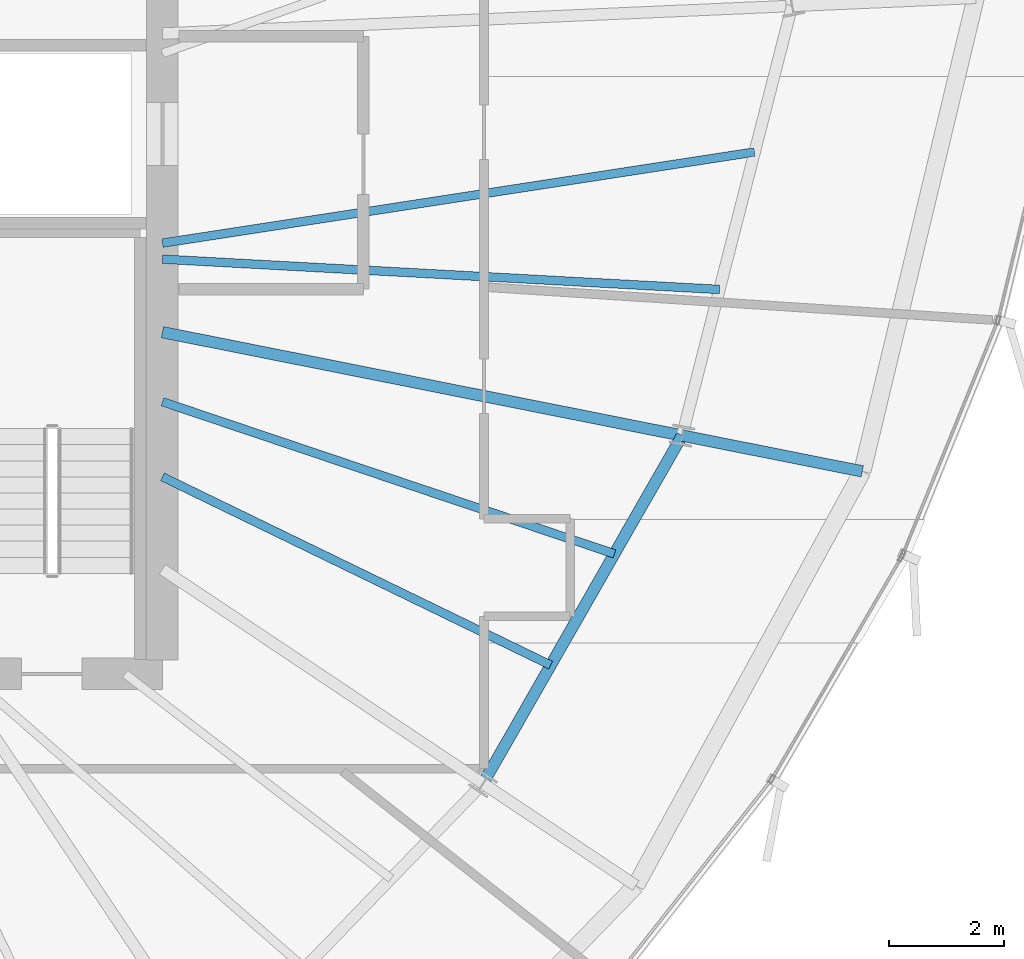
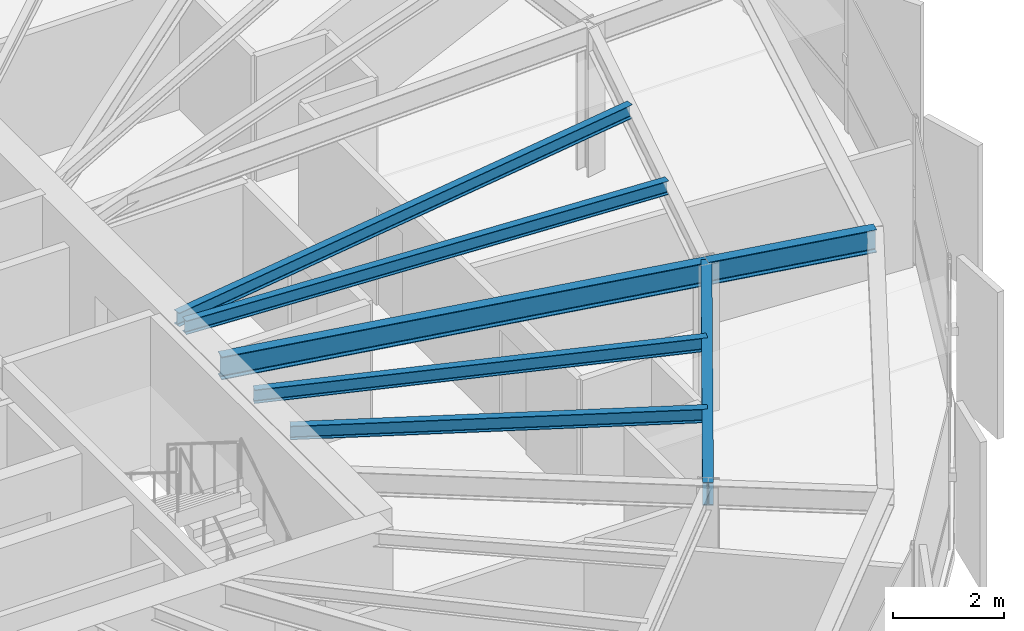
# One storey, part 16 of 35: 7 beams.
"""IFC4 building model written with IfcOpenShell, lengths in metres."""

from ifc_helpers import new_model, si_unit, direction, frame, origin, origin_2d, place, context, subcontext, project, spatial, i_section, extrude, source, transform, mapped, material, material_profile, profile_set, type_object, element, save


model = new_model("IFC4")

# Units and contexts
model_context = context("Model", 3, precision=1e-05, world=origin(), true_north=direction((0.0, 1.0)))
body_context = subcontext(model_context, "Body", "Model", "MODEL_VIEW")
ifc_project = project(units=[si_unit("LENGTHUNIT", "METRE"), si_unit("AREAUNIT", "SQUARE_METRE"), si_unit("VOLUMEUNIT", "CUBIC_METRE"), si_unit("PLANEANGLEUNIT", "RADIAN"), si_unit("MASSUNIT", "GRAM", prefix="KILO"), si_unit("THERMODYNAMICTEMPERATUREUNIT", "KELVIN")], contexts=[model_context])

# Site, building, storey
site_placement = place(None, origin())
site = spatial("IfcSite", under=ifc_project, at=site_placement, CompositionType="ELEMENT")
building_placement = place(site_placement, origin())
building = spatial("IfcBuilding", under=site, at=building_placement, Name="Kethvar Cultural Tower", CompositionType="ELEMENT")
storey_placement = place(building_placement, frame((0.0, 0.0, 193.89990234375)))
storey = spatial("IfcBuildingStorey", under=building, at=storey_placement, Name="L50", CompositionType="ELEMENT", Elevation=193.89990234375)

# Beams
ifc_material = material(Name="Steel S355J2", Category="steel")
ifc_material_profile_1 = material_profile(ifc_material, i_section(OverallWidth=0.199951171875, OverallDepth=0.5, WebThickness=0.01025390625, FlangeThickness=0.01611328125, FilletRadius=0.02099609375, at=origin_2d()), Name="Steel S355J2 — IPE500")
ifc_profile_set_1 = profile_set([ifc_material_profile_1], Name="Steel S355J2 — IPE500")
beam_type_1 = type_object("IfcBeamType", Name="BM-IPE500", PredefinedType="BEAM", material=ifc_profile_set_1)
shared_shape_1 = source(origin(), body_context, "Body", "SweptSolid", [
    extrude(i_section(OverallWidth=0.199951171875, OverallDepth=0.5, WebThickness=0.01025390625, FlangeThickness=0.01611328125, FilletRadius=0.02099609375, at=origin_2d()), origin(), (0.0, 0.0, 1.0), 3.199951171875),
])
beam_1_placement = place(storey_placement, frame((64.648681640625, 24.249755859375, 3.008056640625), z_axis=(0.980785550224, -0.195088965533, 0.0), x_axis=(0.195088965533, 0.980785550224, 0.0)))
element("IfcBeam", 1, at=beam_1_placement, inside=storey, type_object=beam_type_1, Name="L50 Perimeter Cantilever Beam RC-16", PredefinedType="BEAM", context=body_context, shape_type="MappedRepresentation", body=[
    mapped(shared_shape_1, transform((0.0, 0.0, 0.0), scale=1.0)),
])
shared_shape_2 = source(origin(), body_context, "Body", "SweptSolid", [
    extrude(i_section(OverallWidth=0.199951171875, OverallDepth=0.5, WebThickness=0.01025390625, FlangeThickness=0.01611328125, FilletRadius=0.02099609375, at=origin_2d()), origin(), (0.0, 0.0, 1.0), 9.225830078125),
])
beam_2_placement = place(storey_placement, frame((55.60009765625, 26.049560546875, 3.008056640625), z_axis=(0.980786744069, -0.195082963529, 0.0), x_axis=(0.195082963529, 0.980786744069, 0.0)))
element("IfcBeam", 2, at=beam_2_placement, inside=storey, type_object=beam_type_1, Name="L50 Primary Radial Beam RB-16", PredefinedType="BEAM", context=body_context, shape_type="MappedRepresentation", body=[
    mapped(shared_shape_2, transform((0.0, 0.0, 0.0), scale=1.0)),
])
shared_shape_3 = source(origin(), body_context, "Body", "SweptSolid", [
    extrude(i_section(OverallWidth=0.199951171875, OverallDepth=0.5, WebThickness=0.01025390625, FlangeThickness=0.01611328125, FilletRadius=0.02099609375, at=origin_2d()), origin(), (0.0, 0.0, 1.0), 6.98095703125),
])
beam_3_placement = place(storey_placement, frame((61.1826171875, 18.18994140625, 3.008056640625), z_axis=(0.496496686118, 0.868038617041, 0.0), x_axis=(-0.868038617041, 0.496496686118, 0.0)))
element("IfcBeam", 3, at=beam_3_placement, inside=storey, type_object=beam_type_1, Name="L50 Column Ring Tie Beam CR-15", PredefinedType="BEAM", context=body_context, shape_type="MappedRepresentation", body=[
    mapped(shared_shape_3, transform((0.0, 0.0, 0.0), scale=1.0)),
])
ifc_material_profile_2 = material_profile(ifc_material, i_section(OverallWidth=0.14990234375, OverallDepth=0.300048828125, WebThickness=0.007080078125, FlangeThickness=0.0107421875, FilletRadius=0.014892578125, at=origin_2d()), Name="Steel S355J2 — IPE300")
ifc_profile_set_2 = profile_set([ifc_material_profile_2], Name="Steel S355J2 — IPE300")
beam_type_2 = type_object("IfcBeamType", Name="BM-J300", PredefinedType="JOIST", material=ifc_profile_set_2)
shared_shape_4 = source(origin(), body_context, "Body", "SweptSolid", [
    extrude(i_section(OverallWidth=0.14990234375, OverallDepth=0.300048828125, WebThickness=0.007080078125, FlangeThickness=0.0107421875, FilletRadius=0.014892578125, at=origin_2d()), origin(), (0.0, 0.0, 1.0), 7.5146484375),
])
beam_4_placement = place(storey_placement, frame((55.60009765625, 23.530517578125, 3.108154296875), z_axis=(0.899698132091, -0.436512624229, 0.0), x_axis=(0.436512624229, 0.899698132091, 0.0)))
element("IfcBeam", 4, at=beam_4_placement, inside=storey, type_object=beam_type_2, Name="L50 Composite Floor Joist J-15A", PredefinedType="JOIST", context=body_context, shape_type="MappedRepresentation", body=[
    mapped(shared_shape_4, transform((0.0, 0.0, 0.0), scale=1.0)),
])
shared_shape_5 = source(origin(), body_context, "Body", "SweptSolid", [
    extrude(i_section(OverallWidth=0.14990234375, OverallDepth=0.300048828125, WebThickness=0.007080078125, FlangeThickness=0.0107421875, FilletRadius=0.014892578125, at=origin_2d()), origin(), (0.0, 0.0, 1.0), 8.303955078125),
])
beam_5_placement = place(storey_placement, frame((55.60009765625, 24.838134765625, 3.108154296875), z_axis=(0.94776496661, -0.318969540971, 0.0), x_axis=(0.318969540971, 0.94776496661, 0.0)))
element("IfcBeam", 5, at=beam_5_placement, inside=storey, type_object=beam_type_2, Name="L50 Composite Floor Joist J-15B", PredefinedType="JOIST", context=body_context, shape_type="MappedRepresentation", body=[
    mapped(shared_shape_5, transform((0.0, 0.0, 0.0), scale=1.0)),
])
shared_shape_6 = source(origin(), body_context, "Body", "SweptSolid", [
    extrude(i_section(OverallWidth=0.14990234375, OverallDepth=0.300048828125, WebThickness=0.007080078125, FlangeThickness=0.0107421875, FilletRadius=0.014892578125, at=origin_2d()), origin(), (0.0, 0.0, 1.0), 9.714111328125),
])
beam_6_placement = place(storey_placement, frame((55.60009765625, 27.3212890625, 3.108154296875), z_axis=(0.998522658081, -0.054336923906, 0.0), x_axis=(0.054336923906, 0.998522658081, 0.0)))
element("IfcBeam", 6, at=beam_6_placement, inside=storey, type_object=beam_type_2, Name="L50 Composite Floor Joist J-16A", PredefinedType="JOIST", context=body_context, shape_type="MappedRepresentation", body=[
    mapped(shared_shape_6, transform((0.0, 0.0, 0.0), scale=1.0)),
])
shared_shape_7 = source(origin(), body_context, "Body", "SweptSolid", [
    extrude(i_section(OverallWidth=0.14990234375, OverallDepth=0.300048828125, WebThickness=0.007080078125, FlangeThickness=0.0107421875, FilletRadius=0.014892578125, at=origin_2d()), origin(), (0.0, 0.0, 1.0), 10.43408203125),
])
beam_7_placement = place(storey_placement, frame((55.60009765625, 27.60009765625, 3.108154296875), z_axis=(0.988359792691, 0.152134546343, 0.0), x_axis=(-0.152134546343, 0.988359792691, 0.0)))
element("IfcBeam", 7, at=beam_7_placement, inside=storey, type_object=beam_type_2, Name="L50 Composite Floor Joist J-16B", PredefinedType="JOIST", context=body_context, shape_type="MappedRepresentation", body=[
    mapped(shared_shape_7, transform((0.0, 0.0, 0.0), scale=1.0)),
])

save(model, "model.ifc")
